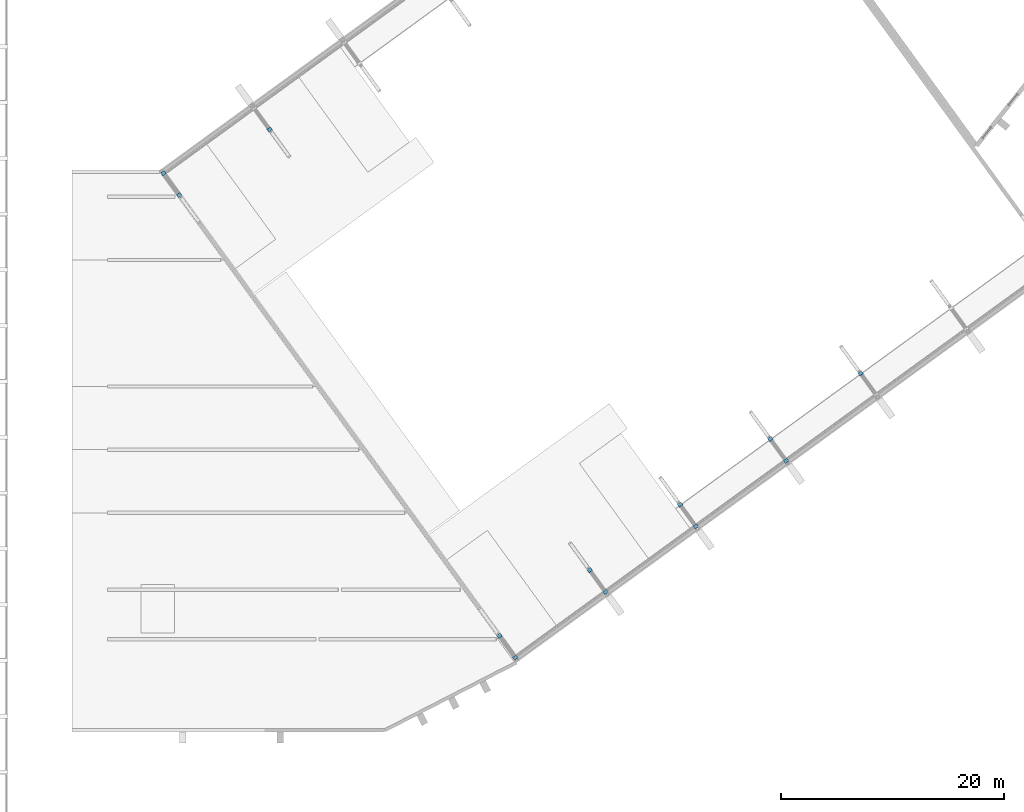
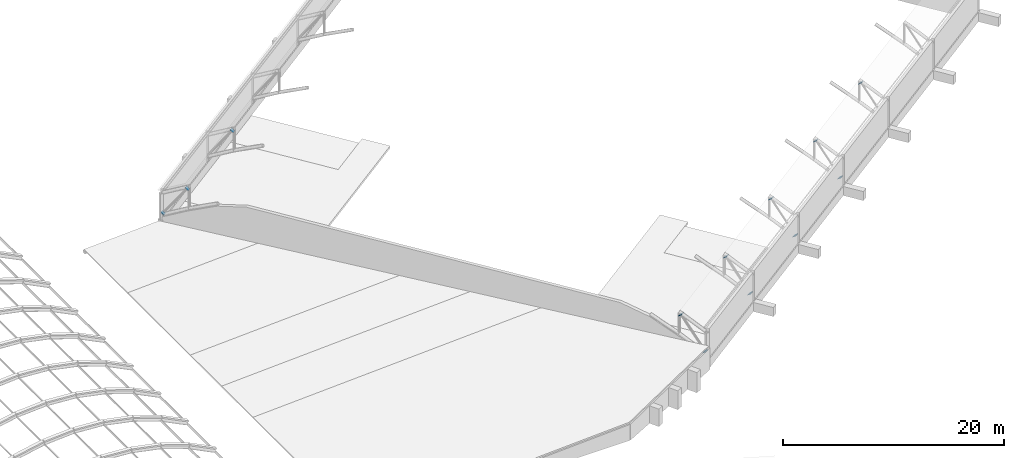
# One storey, part 180 of 196: 12 discrete accessories.
"""IFC4 building model written with IfcOpenShell, lengths in metres."""

from ifc_helpers import new_model, si_unit, direction, frame, origin, origin_2d, place, context, subcontext, project, spatial, rectangle, extrude, material, layer, layer_set, type_object, element, save


model = new_model("IFC4")

# Units and contexts
model_context = context("Model", 3, precision=1e-05, world=origin(), true_north=direction((0.0, 1.0)))
body_context = subcontext(model_context, "Body", "Model", "MODEL_VIEW")
ifc_project = project(units=[si_unit("LENGTHUNIT", "METRE"), si_unit("AREAUNIT", "SQUARE_METRE"), si_unit("VOLUMEUNIT", "CUBIC_METRE"), si_unit("PLANEANGLEUNIT", "RADIAN"), si_unit("MASSUNIT", "GRAM", prefix="KILO")], contexts=[model_context])

# Site, building, storey
site_placement = place(None, origin())
site = spatial("IfcSite", under=ifc_project, at=site_placement, CompositionType="ELEMENT")
building_placement = place(site_placement, origin())
building = spatial("IfcBuilding", under=site, at=building_placement, Name="Okhra Congress Centre", CompositionType="ELEMENT")
storey_placement = place(building_placement, frame((0.0, 0.0, 12.0)))
storey = spatial("IfcBuildingStorey", under=building, at=storey_placement, Name="L02", CompositionType="ELEMENT", Elevation=12.0)

# Discrete accessories
ifc_material = material(Name="Steel S355J2", Category="steel")
ifc_layer = layer(ifc_material, 0.02001953125)
ifc_layer_set = layer_set([ifc_layer], Name="Brace end connection plate 20 mm S355")
discrete_accessory_type = type_object("IfcDiscreteAccessoryType", Name="Brace end connection plate 20 mm S355", PredefinedType="BRACKET", material=ifc_layer_set)
discrete_accessory_1_placement = place(storey_placement, frame((229.70361328125, 156.255859375, 1.705810546875), z_axis=(0.341641293262, -0.463656040856, -0.817498808877), x_axis=(0.805055837353, 0.59319903805, 0.0)))
element("IfcDiscreteAccessory", 1, at=discrete_accessory_1_placement, inside=storey, type_object=discrete_accessory_type, Name="Brace end connection plate", PredefinedType="BRACKET", context=body_context, shape_type="SweptSolid", body=[
    extrude(rectangle(XDim=0.386962890625, YDim=0.386962890625, at=origin_2d()), origin(), (0.0, 0.0, 1.0), 0.02001953125),
])
discrete_accessory_2_placement = place(storey_placement, frame((228.292236328125, 158.19873046875, 5.085205078125), z_axis=(-0.345074700913, 0.468315665525, 0.813390366438), x_axis=(-0.805055837353, -0.59319903805, 0.0)))
element("IfcDiscreteAccessory", 2, at=discrete_accessory_2_placement, inside=storey, type_object=discrete_accessory_type, Name="Brace end connection plate", PredefinedType="BRACKET", context=body_context, shape_type="SweptSolid", body=[
    extrude(rectangle(XDim=0.386962890625, YDim=0.386962890625, at=origin_2d()), origin(), (0.0, 0.0, 1.0), 0.019775390625),
])
for number, where, z_axis, x_axis, name in (
    (3, (198.177001953125, 199.64892578125, 1.705810546875), (-0.341641293262, 0.463656040856, -0.817498808877), (-0.805055837353, -0.59319903805, 0.0), "Brace end connection plate"),
    (4, (199.58837890625, 197.7060546875, 5.085205078125), (0.343074401607, -0.47785363081, 0.808675375217), (0.812323733592, 0.583206783091, 0.0), "Brace end connection plate"),
    (5, (237.7939453125, 162.1337890625, 1.705810546875), (0.339699775673, -0.473153258973, -0.812853034645), (0.812323733592, 0.583206783091, 0.0), "Brace end connection plate"),
):
    element("IfcDiscreteAccessory", number, at=place(storey_placement, frame(where, z_axis=z_axis, x_axis=x_axis)), inside=storey, type_object=discrete_accessory_type, Name=name, PredefinedType="BRACKET", context=body_context, shape_type="SweptSolid", body=[
        extrude(rectangle(XDim=0.386962890625, YDim=0.386962890625, at=origin_2d()), origin(), (0.0, 0.0, 1.0), 0.02001953125),
    ])
for number, where, z_axis, x_axis, name in (
    (6, (236.38232421875, 164.07666015625, 5.085205078125), (-0.345074700913, 0.468315665525, 0.813390366438), (-0.805055837353, -0.59319903805, 0.0), "Brace end connection plate"),
    (7, (207.6787109375, 203.583740234375, 5.085205078125), (0.334149203199, -0.470284063761, 0.816809163375), (0.815180408266, 0.579207132189, 0.0), "Brace end connection plate"),
):
    element("IfcDiscreteAccessory", number, at=place(storey_placement, frame(where, z_axis=z_axis, x_axis=x_axis)), inside=storey, type_object=discrete_accessory_type, Name=name, PredefinedType="BRACKET", context=body_context, shape_type="SweptSolid", body=[
        extrude(rectangle(XDim=0.386962890625, YDim=0.386962890625, at=origin_2d()), origin(), (0.0, 0.0, 1.0), 0.019775390625),
    ])
for number, where, z_axis, x_axis, name in (
    (8, (245.884033203125, 168.011474609375, 1.705810546875), (0.341641293262, -0.463656040856, -0.817498808877), (0.805055837353, 0.59319903805, 0.0), "Brace end connection plate"),
    (9, (244.472412109375, 169.954345703125, 5.085205078125), (-0.343074401607, 0.47785363081, 0.808675375217), (-0.812323733592, -0.583206783091, 0.0), "Brace end connection plate"),
    (10, (253.97412109375, 173.889404296875, 1.705810546875), (0.341641293262, -0.463656040856, -0.817498808877), (0.805055837353, 0.59319903805, 0.0), "Brace end connection plate"),
):
    element("IfcDiscreteAccessory", number, at=place(storey_placement, frame(where, z_axis=z_axis, x_axis=x_axis)), inside=storey, type_object=discrete_accessory_type, Name=name, PredefinedType="BRACKET", context=body_context, shape_type="SweptSolid", body=[
        extrude(rectangle(XDim=0.386962890625, YDim=0.386962890625, at=origin_2d()), origin(), (0.0, 0.0, 1.0), 0.02001953125),
    ])
for number, where, z_axis, x_axis, name in (
    (11, (252.562744140625, 175.832275390625, 5.085205078125), (-0.345074700913, 0.468315665525, 0.813390366438), (-0.805055837353, -0.59319903805, 0.0), "Brace end connection plate"),
    (12, (260.65283203125, 181.710205078125, 5.085205078125), (-0.345074700913, 0.468315665525, 0.813390366438), (-0.805055837353, -0.59319903805, 0.0), "Brace end connection plate"),
):
    element("IfcDiscreteAccessory", number, at=place(storey_placement, frame(where, z_axis=z_axis, x_axis=x_axis)), inside=storey, type_object=discrete_accessory_type, Name=name, PredefinedType="BRACKET", context=body_context, shape_type="SweptSolid", body=[
        extrude(rectangle(XDim=0.386962890625, YDim=0.386962890625, at=origin_2d()), origin(), (0.0, 0.0, 1.0), 0.019775390625),
    ])

save(model, "model.ifc")
